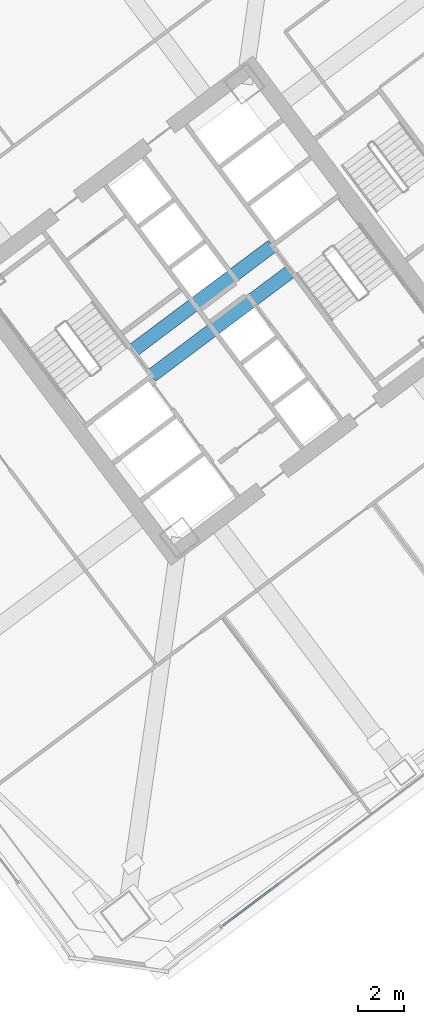
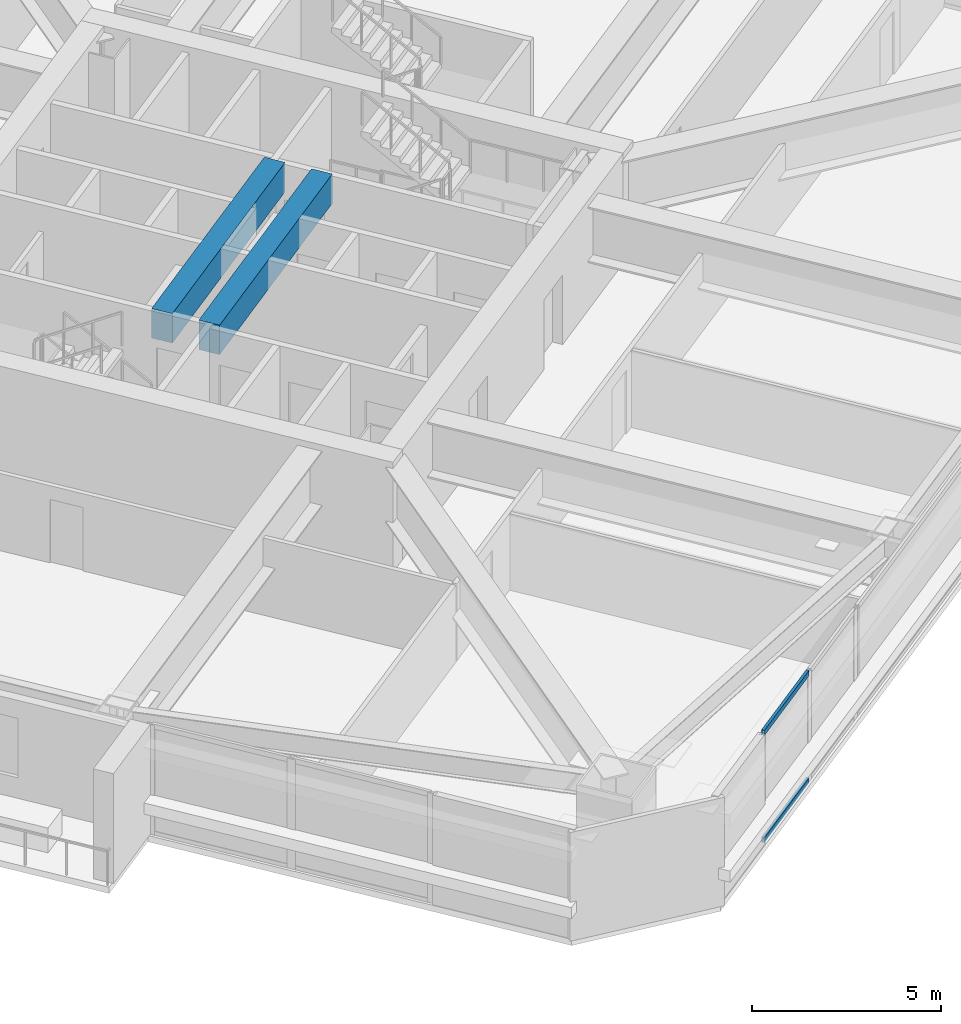
# One storey, part 24 of 48: 2 beams, 2 members, 1 element without a shape of its own.
"""IFC4 building model written with IfcOpenShell, lengths in metres."""

from ifc_helpers import new_model, si_unit, direction, frame, origin, origin_2d, place, context, subcontext, project, spatial, rectangle, hollow_rectangle, extrude, material, material_profile, profile_set, type_object, element, aggregate, save


model = new_model("IFC4")

# Units and contexts
model_context = context("Model", 3, precision=1e-05, world=origin(), true_north=direction((0.0, 1.0)))
body_context = subcontext(model_context, "Body", "Model", "MODEL_VIEW")
ifc_project = project(units=[si_unit("LENGTHUNIT", "METRE"), si_unit("AREAUNIT", "SQUARE_METRE"), si_unit("VOLUMEUNIT", "CUBIC_METRE"), si_unit("PLANEANGLEUNIT", "RADIAN"), si_unit("MASSUNIT", "GRAM", prefix="KILO")], contexts=[model_context])

# Site, building, storey
site_placement = place(None, origin())
site = spatial("IfcSite", under=ifc_project, at=site_placement, CompositionType="ELEMENT")
building_placement = place(site_placement, origin())
building = spatial("IfcBuilding", under=site, at=building_placement, Name="Tashvorn Skyway Center", CompositionType="ELEMENT")
storey_placement = place(building_placement, frame((0.0, 0.0, 63.64990234375)))
storey = spatial("IfcBuildingStorey", under=building, at=storey_placement, Name="L16", CompositionType="ELEMENT", Elevation=63.64990234375)

# Beams
ifc_material_1 = material(Name="Concrete C60/75", Category="concrete")
ifc_material_profile_1 = material_profile(ifc_material_1, rectangle(XDim=0.60009765625, YDim=0.949951171875, at=origin_2d()), Name="RCB600x950")
ifc_profile_set_1 = profile_set([ifc_material_profile_1], Name="Concrete C60/75")
beam_type = type_object("IfcBeamType", Name="BM-LINTEL-RCB600x950", PredefinedType="LINTEL", material=ifc_profile_set_1)
for number, where, z_axis, x_axis, name in (
    (1, (110.552001953125, 30.263916015625, 2.875), (0.8, 0.6, 0.0), (-0.6, 0.8, 0.0), "Tower 2 L16 Core Coupling Beam CN"),
    (2, (111.367919921875, 29.176025390625, 2.875), (0.8, 0.6, 0.0), (-0.6, 0.8, 0.0), "Tower 2 L16 Core Coupling Beam CS"),
):
    element("IfcBeam", number, at=place(storey_placement, frame(where, z_axis=z_axis, x_axis=x_axis)), inside=storey, type_object=beam_type, Name=name, PredefinedType="LINTEL", context=body_context, shape_type="SweptSolid", body=[
        extrude(rectangle(XDim=0.60009765625, YDim=0.949951171875, at=origin_2d()), origin(), (0.0, 0.0, 1.0), 7.60009765625),
    ])

# Curtain wall, members
ifc_material_2 = material(Name="Thermally broken bronze-anodized aluminium 6063-T6", Category="aluminium")
curtain_wall_type = type_object("IfcCurtainWallType", Name="CW-CW-Z1", PredefinedType="NOTDEFINED", material=ifc_material_2)
curtain_wall_placement = place(storey_placement, origin())
curtain_wall = element("IfcCurtainWall", 3, at=curtain_wall_placement, inside=storey, type_object=curtain_wall_type, Name="Tower 2 L16 South Unitised Curtain Wall Glazing Group 3", PredefinedType="NOTDEFINED")
ifc_material_profile_2 = material_profile(ifc_material_2, hollow_rectangle(XDim=0.0849609375, YDim=0.1650390625, WallThickness=0.0048828125, at=origin_2d()), Name="ALU-TRAN-85x165")
ifc_profile_set_2 = profile_set([ifc_material_profile_2], Name="Thermally broken bronze-anodized aluminium 6063-T6")
member_type = type_object("IfcMemberType", Name="CWT-CW-Z1", PredefinedType="USERDEFINED", material=ifc_profile_set_2)
member_1_placement = place(storey_placement, frame((116.904541015625, 7.07861328125, 0.04248046875), z_axis=(-0.799990296182, -0.600012938206, 0.0), x_axis=(0.600012938206, -0.799990296182, 0.0)))
member_1 = element("IfcMember", 4, at=member_1_placement, type_object=member_type, Name="CW-Z1 transom 2.1", ObjectType="TRANSOM", PredefinedType="USERDEFINED", context=body_context, shape_type="SweptSolid", body=[
    extrude(hollow_rectangle(XDim=0.0849609375, YDim=0.1650390625, WallThickness=0.0048828125, at=origin_2d()), origin(), (0.0, 0.0, 1.0), 3.01904296875),
])
member_2_placement = place(storey_placement, frame((116.904541015625, 7.07861328125, 3.507568359375), z_axis=(-0.799990296182, -0.600012938206, 0.0), x_axis=(0.600012938206, -0.799990296182, 0.0)))
member_2 = element("IfcMember", 5, at=member_2_placement, type_object=member_type, Name="CW-Z1 transom 2.2", ObjectType="TRANSOM", PredefinedType="USERDEFINED", context=body_context, shape_type="SweptSolid", body=[
    extrude(hollow_rectangle(XDim=0.0849609375, YDim=0.1650390625, WallThickness=0.0048828125, at=origin_2d()), origin(), (0.0, 0.0, 1.0), 3.01904296875),
])
aggregate(curtain_wall, [member_1, member_2])

save(model, "model.ifc")
